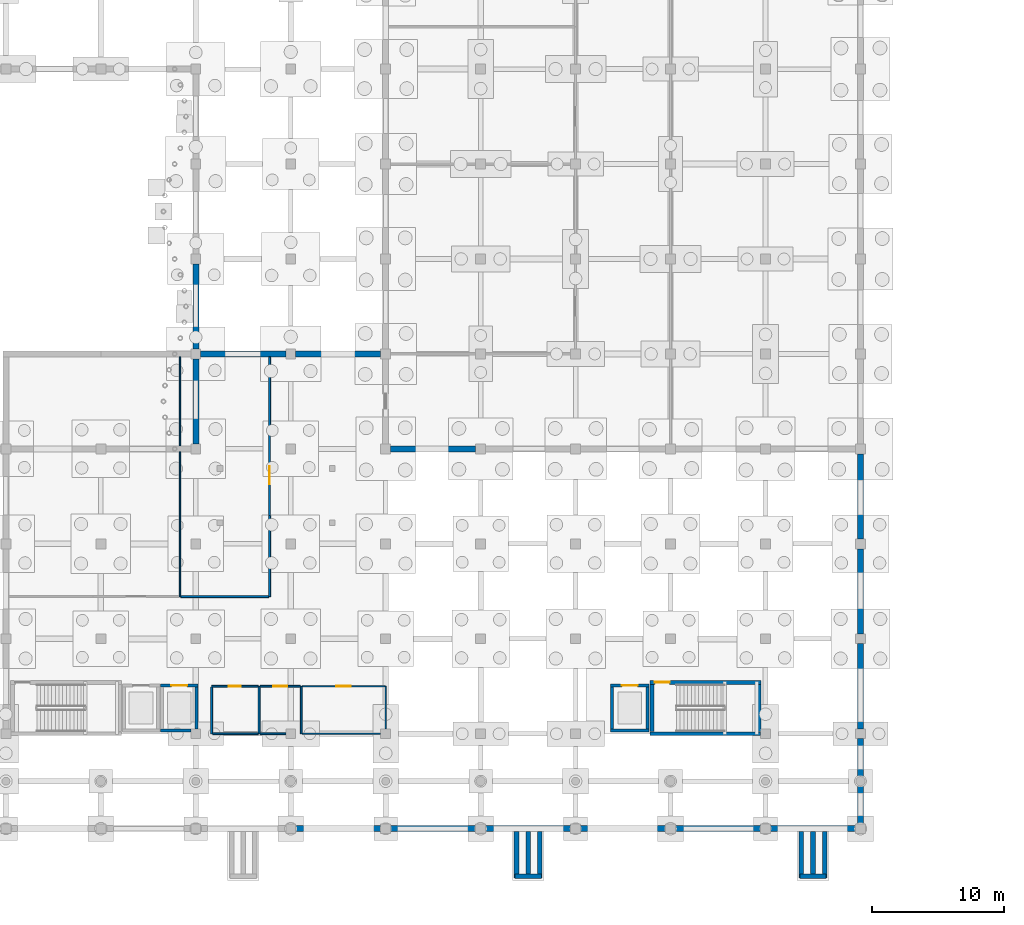
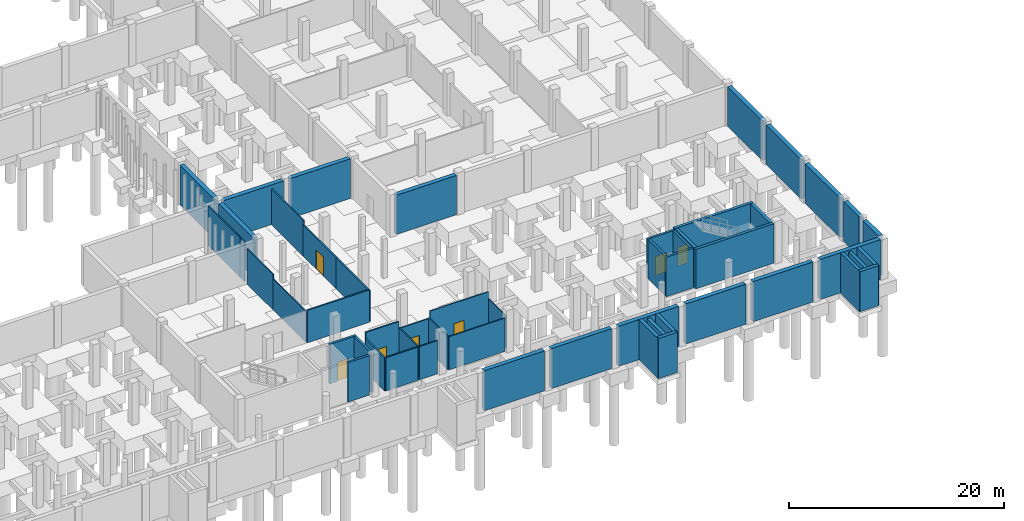
# One storey, part 25 of 35: 53 walls, 7 doors, 7 openings.
"""IFC4 building model written with IfcOpenShell, lengths in metres."""

from ifc_helpers import new_model, si_unit, direction, frame, frame_2d, origin, place, context, subcontext, project, spatial, rectangle, extrude, material, layer, layer_set, type_object, element, fill, save


model = new_model("IFC4")

# Units and contexts
model_context = context("Model", 3, precision=1e-05, world=origin(), true_north=direction((0.0, 1.0)))
body_context = subcontext(model_context, "Body", "Model", "MODEL_VIEW")
ifc_project = project(units=[si_unit("LENGTHUNIT", "METRE"), si_unit("AREAUNIT", "SQUARE_METRE"), si_unit("VOLUMEUNIT", "CUBIC_METRE"), si_unit("PLANEANGLEUNIT", "RADIAN"), si_unit("MASSUNIT", "GRAM", prefix="KILO"), si_unit("THERMODYNAMICTEMPERATUREUNIT", "KELVIN"), si_unit("POWERUNIT", "WATT")], contexts=[model_context])

# Site, building, storey
site_placement = place(None, origin())
site = spatial("IfcSite", under=ifc_project, at=site_placement, CompositionType="ELEMENT")
building_placement = place(site_placement, origin())
building = spatial("IfcBuilding", under=site, at=building_placement, Name="Kaldorven Railside Theatre", CompositionType="ELEMENT")
storey_placement = place(building_placement, frame((0.0, 0.0, -4.800048828125)))
storey = spatial("IfcBuildingStorey", under=building, at=storey_placement, Name="B1", CompositionType="ELEMENT", Elevation=-4.800048828125)

# Walls
ifc_material_1 = material(Name="Concrete C40/50", Category="concrete")
ifc_layer_1 = layer(ifc_material_1, 0.449951171875, Name="Concrete C40/50")
ifc_layer_set_1 = layer_set([ifc_layer_1], Name="Concrete C40/50")
wall_type_1 = type_object("IfcWallType", Name="WL-EW01", PredefinedType="SHEAR", material=ifc_layer_set_1)
wall_1_placement = place(storey_placement, frame((123.199951171875, 40.425048828125, 0.0), z_axis=(0.0, 0.0, 1.0), x_axis=(0.0, -1.0, 0.0)))
element("IfcWall", 1, at=wall_1_placement, inside=storey, type_object=wall_type_1, Name="Basement Plinth Retaining Wall EW-0070", PredefinedType="SHEAR", context=body_context, shape_type="SweptSolid", body=[
    extrude(rectangle(XDim=6.449951171875, YDim=0.449951171875, at=frame_2d((3.22509765625, 0.0))), origin(), (0.0, 0.0, 1.0), 4.47998046875),
])
wall_2_placement = place(storey_placement, frame((123.199951171875, 33.22509765625, 0.0), z_axis=(0.0, 0.0, 1.0), x_axis=(0.0, -1.0, 0.0)))
element("IfcWall", 2, at=wall_2_placement, inside=storey, type_object=wall_type_1, Name="Basement Plinth Retaining Wall EW-0071", PredefinedType="SHEAR", context=body_context, shape_type="SweptSolid", body=[
    extrude(rectangle(XDim=6.4501953125, YDim=0.449951171875, at=frame_2d((3.22509765625, 0.0))), origin(), (0.0, 0.0, 1.0), 4.47998046875),
])
wall_3_placement = place(storey_placement, frame((123.199951171875, 26.02490234375, 0.0), z_axis=(0.0, 0.0, 1.0), x_axis=(0.0, -1.0, 0.0)))
element("IfcWall", 3, at=wall_3_placement, inside=storey, type_object=wall_type_1, Name="Basement Plinth Retaining Wall EW-0072", PredefinedType="SHEAR", context=body_context, shape_type="SweptSolid", body=[
    extrude(rectangle(XDim=6.449951171875, YDim=0.449951171875, at=frame_2d((3.22509765625, 0.0))), origin(), (0.0, 0.0, 1.0), 4.47998046875),
])
for number, where, z_axis, x_axis, name in (
    (4, (123.199951171875, 18.824951171875, 0.0), (0.0, 0.0, 1.0), (0.0, -1.0, 0.0), "Basement Plinth Retaining Wall EW-0073"),
    (5, (123.199951171875, 15.25, 0.0), (0.0, 0.0, 1.0), (0.0, -1.0, 0.0), "Basement Plinth Retaining Wall EW-0074"),
):
    element("IfcWall", number, at=place(storey_placement, frame(where, z_axis=z_axis, x_axis=x_axis)), inside=storey, type_object=wall_type_1, Name=name, PredefinedType="SHEAR", context=body_context, shape_type="SweptSolid", body=[
        extrude(rectangle(XDim=2.875, YDim=0.449951171875, at=frame_2d((1.4375, 0.0))), origin(), (0.0, 0.0, 1.0), 4.550048828125),
    ])
for number, where, z_axis, x_axis, name in (
    (6, (122.824951171875, 12.0, 0.0), (0.0, 0.0, 1.0), (-1.0, 0.0, 0.0), "Basement Plinth Retaining Wall EW-0075"),
    (7, (115.625, 12.0, 0.0), (0.0, 0.0, 1.0), (-1.0, 0.0, 0.0), "Basement Plinth Retaining Wall EW-0076"),
    (8, (108.425048828125, 12.0, 0.0), (0.0, 0.0, 1.0), (-1.0, 0.0, 0.0), "Basement Plinth Retaining Wall EW-0077"),
):
    element("IfcWall", number, at=place(storey_placement, frame(where, z_axis=z_axis, x_axis=x_axis)), inside=storey, type_object=wall_type_1, Name=name, PredefinedType="SHEAR", context=body_context, shape_type="SweptSolid", body=[
        extrude(rectangle(XDim=6.449951171875, YDim=0.449951171875, at=frame_2d((3.22509765625, 0.0))), origin(), (0.0, 0.0, 1.0), 4.550048828125),
    ])
wall_4_placement = place(storey_placement, frame((101.22509765625, 12.0, 0.0), z_axis=(0.0, 0.0, 1.0), x_axis=(-1.0, 0.0, 0.0)))
element("IfcWall", 9, at=wall_4_placement, inside=storey, type_object=wall_type_1, Name="Basement Plinth Retaining Wall EW-0078", PredefinedType="SHEAR", context=body_context, shape_type="SweptSolid", body=[
    extrude(rectangle(XDim=6.4501953125, YDim=0.449951171875, at=frame_2d((3.22509765625, 0.0))), origin(), (0.0, 0.0, 1.0), 4.550048828125),
])
for number, where, z_axis, x_axis, name in (
    (10, (94.02490234375, 12.0, 0.0), (0.0, 0.0, 1.0), (-1.0, 0.0, 0.0), "Basement Plinth Retaining Wall EW-0079"),
    (11, (86.824951171875, 12.0, 0.0), (0.0, 0.0, 1.0), (-1.0, 0.0, 0.0), "Basement Plinth Retaining Wall EW-0080"),
):
    element("IfcWall", number, at=place(storey_placement, frame(where, z_axis=z_axis, x_axis=x_axis)), inside=storey, type_object=wall_type_1, Name=name, PredefinedType="SHEAR", context=body_context, shape_type="SweptSolid", body=[
        extrude(rectangle(XDim=6.449951171875, YDim=0.449951171875, at=frame_2d((3.22509765625, 0.0))), origin(), (0.0, 0.0, 1.0), 4.550048828125),
    ])
for number, where, z_axis, x_axis, name in (
    (12, (72.800048828125, 41.175048828125, 0.0), (0.0, 0.0, 1.0), (0.0, 1.0, 0.0), "Basement Plinth Retaining Wall EW-0102"),
    (13, (72.800048828125, 48.375, 0.0), (0.0, 0.0, 1.0), (0.0, 1.0, 0.0), "Basement Plinth Retaining Wall EW-0103"),
):
    element("IfcWall", number, at=place(storey_placement, frame(where, z_axis=z_axis, x_axis=x_axis)), inside=storey, type_object=wall_type_1, Name=name, PredefinedType="SHEAR", context=body_context, shape_type="SweptSolid", body=[
        extrude(rectangle(XDim=6.449951171875, YDim=0.449951171875, at=frame_2d((3.22509765625, 0.0))), origin(), (0.0, 0.0, 1.0), 4.5),
    ])
wall_5_placement = place(storey_placement, frame((94.02490234375, 40.800048828125, 0.0), z_axis=(0.0, 0.0, 1.0), x_axis=(-1.0, 0.0, 0.0)))
element("IfcWall", 14, at=wall_5_placement, inside=storey, type_object=wall_type_1, Name="Basement Compartment Retaining Wall EW-0115", PredefinedType="SHEAR", context=body_context, shape_type="SweptSolid", body=[
    extrude(rectangle(XDim=6.449951171875, YDim=0.449951171875, at=frame_2d((3.22509765625, 0.0))), origin(), (0.0, 0.0, 1.0), 4.449951171875),
])
for number, where, z_axis, x_axis, name in (
    (15, (73.175048828125, 48.0, 0.0), (0.0, 0.0, 1.0), (1.0, 0.0, 0.0), "Basement Compartment Retaining Wall EW-0130"),
    (16, (80.375, 48.0, 0.0), (0.0, 0.0, 1.0), (1.0, 0.0, 0.0), "Basement Compartment Retaining Wall EW-0131"),
):
    element("IfcWall", number, at=place(storey_placement, frame(where, z_axis=z_axis, x_axis=x_axis)), inside=storey, type_object=wall_type_1, Name=name, PredefinedType="SHEAR", context=body_context, shape_type="SweptSolid", body=[
        extrude(rectangle(XDim=6.449951171875, YDim=0.449951171875, at=frame_2d((3.22509765625, 0.0))), origin(), (0.0, 0.0, 1.0), 4.5),
    ])
ifc_material_2 = material(Name="Precast concrete C40/50", Category="concrete")
ifc_layer_2 = layer(ifc_material_2, 0.35009765625, Name="Precast concrete C40/50")
ifc_layer_set_2 = layer_set([ifc_layer_2], Name="Precast concrete C40/50")
wall_type_2 = type_object("IfcWallType", Name="WL-EW03", PredefinedType="SOLIDWALL", material=ifc_layer_set_2)
for number, where, z_axis, x_axis, name in (
    (17, (97.1201171875, 8.260009765625, 0.0), (0.0, 0.0, 1.0), (0.0, 1.0, 0.0), "Arrival Ramp RMP-04 Plinth Cheek Wall"),
    (18, (98.8798828125, 8.260009765625, 0.0), (0.0, 0.0, 1.0), (0.0, 1.0, 0.0), "Arrival Ramp RMP-04 Plinth Cheek Wall"),
):
    element("IfcWall", number, at=place(storey_placement, frame(where, z_axis=z_axis, x_axis=x_axis)), inside=storey, type_object=wall_type_2, Name=name, PredefinedType="SOLIDWALL", context=body_context, shape_type="SweptSolid", body=[
        extrude(rectangle(XDim=3.510009765625, YDim=0.35009765625, at=frame_2d((1.7548828125, 0.0))), origin(), (0.0, 0.0, 1.0), 4.550048828125),
    ])
wall_6_placement = place(storey_placement, frame((97.0, 8.385009765625, 0.0), z_axis=(0.0, 0.0, 1.0), x_axis=(1.0, 0.0, 0.0)))
element("IfcWall", 19, at=wall_6_placement, inside=storey, type_object=wall_type_2, Name="Arrival Ramp RMP-04 Plinth Cheek Wall", PredefinedType="SOLIDWALL", context=body_context, shape_type="SweptSolid", body=[
    extrude(rectangle(XDim=2.0, YDim=0.35009765625, at=frame_2d((1.0, 0.0))), origin(), (0.0, 0.0, 1.0), 4.550048828125),
])
wall_7_placement = place(storey_placement, frame((98.0, 8.580078125, 0.0), z_axis=(0.0, 0.0, 1.0), x_axis=(0.0, 1.0, 0.0)))
element("IfcWall", 20, at=wall_7_placement, inside=storey, type_object=wall_type_2, Name="Arrival Ramp RMP-04 Plinth Cheek Wall", PredefinedType="SOLIDWALL", context=body_context, shape_type="SweptSolid", body=[
    extrude(rectangle(XDim=3.18994140625, YDim=0.35009765625, at=frame_2d((1.594970703125, 0.0))), origin(), (0.0, 0.0, 1.0), 4.340087890625),
])
for number, where, z_axis, x_axis, name in (
    (21, (118.719970703125, 8.260009765625, 0.0), (0.0, 0.0, 1.0), (0.0, 1.0, 0.0), "Arrival Ramp RMP-05 Plinth Cheek Wall"),
    (22, (120.47998046875, 8.260009765625, 0.0), (0.0, 0.0, 1.0), (0.0, 1.0, 0.0), "Arrival Ramp RMP-05 Plinth Cheek Wall"),
):
    element("IfcWall", number, at=place(storey_placement, frame(where, z_axis=z_axis, x_axis=x_axis)), inside=storey, type_object=wall_type_2, Name=name, PredefinedType="SOLIDWALL", context=body_context, shape_type="SweptSolid", body=[
        extrude(rectangle(XDim=3.510009765625, YDim=0.35009765625, at=frame_2d((1.7548828125, 0.0))), origin(), (0.0, 0.0, 1.0), 4.550048828125),
    ])
wall_8_placement = place(storey_placement, frame((118.60009765625, 8.385009765625, 0.0), z_axis=(0.0, 0.0, 1.0), x_axis=(1.0, 0.0, 0.0)))
element("IfcWall", 23, at=wall_8_placement, inside=storey, type_object=wall_type_2, Name="Arrival Ramp RMP-05 Plinth Cheek Wall", PredefinedType="SOLIDWALL", context=body_context, shape_type="SweptSolid", body=[
    extrude(rectangle(XDim=2.0, YDim=0.35009765625, at=frame_2d((1.0, 0.0))), origin(), (0.0, 0.0, 1.0), 4.550048828125),
])
wall_9_placement = place(storey_placement, frame((119.60009765625, 8.580078125, 0.0), z_axis=(0.0, 0.0, 1.0), x_axis=(0.0, 1.0, 0.0)))
element("IfcWall", 24, at=wall_9_placement, inside=storey, type_object=wall_type_2, Name="Arrival Ramp RMP-05 Plinth Cheek Wall", PredefinedType="SOLIDWALL", context=body_context, shape_type="SweptSolid", body=[
    extrude(rectangle(XDim=3.18994140625, YDim=0.35009765625, at=frame_2d((1.594970703125, 0.0))), origin(), (0.0, 0.0, 1.0), 4.340087890625),
])
ifc_material_3 = material(Name="Acoustic gypsum board")
ifc_layer_3 = layer(ifc_material_3, 0.14990234375, Name="Acoustic gypsum board")
ifc_layer_set_3 = layer_set([ifc_layer_3], Name="Acoustic gypsum board")
wall_type_3 = type_object("IfcWallType", Name="WL-IW-AC1", PredefinedType="PARTITIONING", material=ifc_layer_set_3)
wall_10_placement = place(storey_placement, frame((78.39990234375, 29.60009765625, 0.0), z_axis=(0.0, 0.0, 1.0), x_axis=(0.0, 1.0, 0.0)))
element("IfcWall", 25, at=wall_10_placement, inside=storey, type_object=wall_type_3, Name="B1 Interior Wall IW-0431", PredefinedType="PARTITIONING", context=body_context, shape_type="SweptSolid", body=[
    extrude(rectangle(XDim=6.13330078125, YDim=0.14990234375, at=frame_2d((3.066650390625, 0.0))), origin(), (0.0, 0.0, 1.0), 3.525146484375),
])

# Wall, opening, door
wall_11_placement = place(storey_placement, frame((78.39990234375, 35.7333984375, 0.0), z_axis=(0.0, 0.0, 1.0), x_axis=(0.0, 1.0, 0.0)))
wall_11 = element("IfcWall", 26, at=wall_11_placement, inside=storey, type_object=wall_type_3, Name="B1 Interior Wall IW-0432", PredefinedType="PARTITIONING", context=body_context, shape_type="SweptSolid", body=[
    extrude(rectangle(XDim=6.13330078125, YDim=0.14990234375, at=frame_2d((3.066650390625, 0.0))), origin(), (0.0, 0.0, 1.0), 3.525146484375),
])
opening_1_placement = place(wall_11_placement, frame((2.36669921875, 0.0, 0.0)))
opening_1 = element("IfcOpeningElement", 27, at=opening_1_placement, cuts=wall_11, Name="Opening ID-0097", PredefinedType="OPENING", context=body_context, shape_type="SweptSolid", body=[
    extrude(rectangle(XDim=1.39990234375, YDim=2.199951171875, at=frame_2d((0.699951171875, 1.10009765625))), frame((0.0, 0.0849609375, 0.0), z_axis=(0.0, -1.0, 0.0), x_axis=(1.0, 0.0, 0.0)), (0.0, 0.0, 1.0), 0.169921875),
])
ifc_material_4 = material(Name="Powder-coated hollow-metal steel", Category="steel")
door_type_1 = type_object("IfcDoorType", Name="DR-ID-PLT1", OperationType="NOTDEFINED", PredefinedType="DOOR", material=ifc_material_4)
door_1_placement = place(opening_1_placement, origin())
door_1 = element("IfcDoor", 28, at=door_1_placement, inside=storey, type_object=door_type_1, Name="Acoustic AHU Plant Entry Door", OperationType="SINGLE_SWING_RIGHT", OverallHeight=2.199951171875, OverallWidth=1.39990234375, PredefinedType="DOOR", context=body_context, shape_type="SweptSolid", body=[
    extrude(rectangle(XDim=1.39990234375, YDim=2.199951171875, at=frame_2d((0.699951171875, 1.10009765625))), frame((0.0, 0.02490234375, 0.0), z_axis=(0.0, -1.0, 0.0), x_axis=(1.0, 0.0, 0.0)), (0.0, 0.0, 1.0), 0.050048828125),
])
fill(opening_1, door_1)

# Walls
wall_12_placement = place(storey_placement, frame((78.39990234375, 41.86669921875, 0.0), z_axis=(0.0, 0.0, 1.0), x_axis=(0.0, 1.0, 0.0)))
element("IfcWall", 29, at=wall_12_placement, inside=storey, type_object=wall_type_3, Name="B1 Interior Wall IW-0433", PredefinedType="PARTITIONING", context=body_context, shape_type="SweptSolid", body=[
    extrude(rectangle(XDim=5.90625, YDim=0.14990234375, at=frame_2d((2.953125, 0.0))), origin(), (0.0, 0.0, 1.0), 4.045166015625),
])
wall_13_placement = place(storey_placement, frame((71.652099609375, 29.60009765625, 0.0), z_axis=(0.0, 0.0, 1.0), x_axis=(1.0, 0.0, 0.0)))
element("IfcWall", 30, at=wall_13_placement, inside=storey, type_object=wall_type_3, Name="B1 Interior Wall IW-0434", PredefinedType="PARTITIONING", context=body_context, shape_type="SweptSolid", body=[
    extrude(rectangle(XDim=6.6708984375, YDim=0.14990234375, at=frame_2d((3.33544921875, 0.0))), origin(), (0.0, 0.0, 1.0), 3.675048828125),
])
ifc_layer_4 = layer(ifc_material_3, 0.139892578125, Name="Acoustic gypsum board")
ifc_layer_set_4 = layer_set([ifc_layer_4], Name="Acoustic gypsum board")
wall_type_4 = type_object("IfcWallType", Name="WL-IW-AC2", PredefinedType="PARTITIONING", material=ifc_layer_set_4)
wall_14_placement = place(storey_placement, frame((77.60009765625, 19.199951171875, 0.0), z_axis=(0.0, 0.0, 1.0), x_axis=(0.0, 1.0, 0.0)))
element("IfcWall", 31, at=wall_14_placement, inside=storey, type_object=wall_type_4, Name="B1 Interior Wall IW-0435", PredefinedType="PARTITIONING", context=body_context, shape_type="SweptSolid", body=[
    extrude(rectangle(XDim=3.60009765625, YDim=0.139892578125, at=frame_2d((1.800048828125, 0.0))), origin(), (0.0, 0.0, 1.0), 3.775146484375),
])

# Wall, opening, door
wall_15_placement = place(storey_placement, frame((77.528076171875, 22.800048828125, 0.0), z_axis=(0.0, 0.0, 1.0), x_axis=(-1.0, 0.0, 0.0)))
wall_15 = element("IfcWall", 32, at=wall_15_placement, inside=storey, type_object=wall_type_4, Name="B1 Interior Wall IW-0436", PredefinedType="PARTITIONING", context=body_context, shape_type="SweptSolid", body=[
    extrude(rectangle(XDim=3.528076171875, YDim=0.139892578125, at=frame_2d((1.76416015625, 0.0))), origin(), (0.0, 0.0, 1.0), 4.47998046875),
])
opening_2_placement = place(wall_15_placement, frame((1.303955078125, 0.0, 0.0)))
opening_2 = element("IfcOpeningElement", 33, at=opening_2_placement, cuts=wall_15, Name="Opening ID-0098", PredefinedType="OPENING", context=body_context, shape_type="SweptSolid", body=[
    extrude(rectangle(XDim=0.919921875, YDim=2.10009765625, at=frame_2d((0.4599609375, 1.050048828125))), frame((0.0, 0.080078125, 0.0), z_axis=(0.0, -1.0, 0.0), x_axis=(1.0, 0.0, 0.0)), (0.0, 0.0, 1.0), 0.159912109375),
])
ifc_material_5 = material(Name="Acoustic hardwood timber", Category="wood")
door_type_2 = type_object("IfcDoorType", Name="DR-ID-WC1", OperationType="NOTDEFINED", PredefinedType="DOOR", material=ifc_material_5)
door_2_placement = place(opening_2_placement, origin())
door_2 = element("IfcDoor", 34, at=door_2_placement, inside=storey, type_object=door_type_2, Name="Basement Staff WC Entry Door", OperationType="SINGLE_SWING_LEFT", OverallHeight=2.10009765625, OverallWidth=0.919921875, PredefinedType="DOOR", context=body_context, shape_type="SweptSolid", body=[
    extrude(rectangle(XDim=0.919921875, YDim=2.10009765625, at=frame_2d((0.4599609375, 1.050048828125))), frame((0.0, 0.02490234375, 0.0), z_axis=(0.0, -1.0, 0.0), x_axis=(1.0, 0.0, 0.0)), (0.0, 0.0, 1.0), 0.050048828125),
])
fill(opening_2, door_2)

# Walls
wall_16_placement = place(storey_placement, frame((74.0, 22.72802734375, 0.0), z_axis=(0.0, 0.0, 1.0), x_axis=(0.0, -1.0, 0.0)))
element("IfcWall", 35, at=wall_16_placement, inside=storey, type_object=wall_type_4, Name="B1 Interior Wall IW-0437", PredefinedType="PARTITIONING", context=body_context, shape_type="SweptSolid", body=[
    extrude(rectangle(XDim=3.528076171875, YDim=0.139892578125, at=frame_2d((1.76416015625, 0.0))), origin(), (0.0, 0.0, 1.0), 3.775146484375),
])
wall_17_placement = place(storey_placement, frame((74.072021484375, 19.199951171875, 0.0), z_axis=(0.0, 0.0, 1.0), x_axis=(1.0, 0.0, 0.0)))
element("IfcWall", 36, at=wall_17_placement, inside=storey, type_object=wall_type_4, Name="B1 Interior Wall IW-0438", PredefinedType="PARTITIONING", context=body_context, shape_type="SweptSolid", body=[
    extrude(rectangle(XDim=3.4560546875, YDim=0.139892578125, at=frame_2d((1.72802734375, 0.0))), origin(), (0.0, 0.0, 1.0), 3.775146484375),
])
ifc_layer_5 = layer(ifc_material_1, 0.300048828125, Name="Concrete C40/50")
ifc_layer_set_5 = layer_set([ifc_layer_5], Name="Concrete C40/50")
wall_type_5 = type_object("IfcWallType", Name="WL-IW-CORE", PredefinedType="SHEAR", material=ifc_layer_set_5)
wall_18_placement = place(storey_placement, frame((115.625, 19.199951171875, 0.0), z_axis=(0.0, 0.0, 1.0), x_axis=(-1.0, 0.0, 0.0)))
element("IfcWall", 37, at=wall_18_placement, inside=storey, type_object=wall_type_5, Name="B1 Core Wall CW-0089", PredefinedType="SHEAR", context=body_context, shape_type="SweptSolid", body=[
    extrude(rectangle(XDim=8.375, YDim=0.300048828125, at=frame_2d((4.1875, 0.0))), origin(), (0.0, 0.0, 1.0), 4.47998046875),
])
wall_19_placement = place(storey_placement, frame((107.39990234375, 19.35205078125, 0.0), z_axis=(0.0, 0.0, 1.0), x_axis=(0.0, 1.0, 0.0)))
element("IfcWall", 38, at=wall_19_placement, inside=storey, type_object=wall_type_5, Name="B1 Core Wall CW-0090", PredefinedType="SHEAR", context=body_context, shape_type="SweptSolid", body=[
    extrude(rectangle(XDim=3.597900390625, YDim=0.300048828125, at=frame_2d((1.798828125, 0.0))), origin(), (0.0, 0.0, 1.0), 4.47998046875),
])

# Wall, opening, door
wall_20_placement = place(storey_placement, frame((107.25, 23.10009765625, 0.0), z_axis=(0.0, 0.0, 1.0), x_axis=(1.0, 0.0, 0.0)))
wall_20 = element("IfcWall", 39, at=wall_20_placement, inside=storey, type_object=wall_type_5, Name="B1 Core Wall CW-0091", PredefinedType="SHEAR", context=body_context, shape_type="SweptSolid", body=[
    extrude(rectangle(XDim=8.39990234375, YDim=0.300048828125, at=frame_2d((4.199951171875, 0.0))), origin(), (0.0, 0.0, 1.0), 4.47998046875),
])
opening_3_placement = place(wall_20_placement, frame((0.3701171875, 0.0, 0.0)))
opening_3 = element("IfcOpeningElement", 40, at=opening_3_placement, cuts=wall_20, Name="Opening ID-0013", PredefinedType="OPENING", context=body_context, shape_type="SweptSolid", body=[
    extrude(rectangle(XDim=1.10009765625, YDim=2.14990234375, at=frame_2d((0.550048828125, 1.074951171875))), frame((0.0, 0.16015625, 0.0), z_axis=(0.0, -1.0, 0.0), x_axis=(1.0, 0.0, 0.0)), (0.0, 0.0, 1.0), 0.320068359375),
])
door_type_3 = type_object("IfcDoorType", Name="DR-ID-FD60", OperationType="NOTDEFINED", PredefinedType="DOOR", material=ifc_material_5)
door_3_placement = place(opening_3_placement, origin())
door_3 = element("IfcDoor", 41, at=door_3_placement, inside=storey, type_object=door_type_3, Name="Stair ST-04 Fire Door", OperationType="SINGLE_SWING_LEFT", OverallHeight=2.14990234375, OverallWidth=1.10009765625, PredefinedType="DOOR", context=body_context, shape_type="SweptSolid", body=[
    extrude(rectangle(XDim=1.10009765625, YDim=2.14990234375, at=frame_2d((0.550048828125, 1.074951171875))), frame((0.0, 0.02490234375, 0.0), z_axis=(0.0, -1.0, 0.0), x_axis=(1.0, 0.0, 0.0)), (0.0, 0.0, 1.0), 0.050048828125),
])
fill(opening_3, door_3)

# Walls
wall_21_placement = place(storey_placement, frame((115.5, 22.947998046875, 0.0), z_axis=(0.0, 0.0, 1.0), x_axis=(0.0, -1.0, 0.0)))
element("IfcWall", 42, at=wall_21_placement, inside=storey, type_object=wall_type_5, Name="B1 Core Wall CW-0092", PredefinedType="SHEAR", context=body_context, shape_type="SweptSolid", body=[
    extrude(rectangle(XDim=3.595947265625, YDim=0.300048828125, at=frame_2d((1.7978515625, 0.0))), origin(), (0.0, 0.0, 1.0), 4.47998046875),
])
ifc_material_6 = material(Name="Fire-rated acoustic gypsum board")
ifc_layer_6 = layer(ifc_material_6, 0.1201171875, Name="Fire-rated acoustic gypsum board")
ifc_layer_set_6 = layer_set([ifc_layer_6], Name="Fire-rated acoustic gypsum board")
wall_type_6 = type_object("IfcWallType", Name="WL-IW-PT1", PredefinedType="PARTITIONING", material=ifc_layer_set_6)
wall_22_placement = place(storey_placement, frame((80.800048828125, 19.199951171875, 0.0), z_axis=(0.0, 0.0, 1.0), x_axis=(0.0, 1.0, 0.0)))
element("IfcWall", 43, at=wall_22_placement, inside=storey, type_object=wall_type_6, Name="B1 Interior Wall IW-0439", PredefinedType="PARTITIONING", context=body_context, shape_type="SweptSolid", body=[
    extrude(rectangle(XDim=3.60009765625, YDim=0.1201171875, at=frame_2d((1.800048828125, 0.0))), origin(), (0.0, 0.0, 1.0), 3.775146484375),
])

# Wall, opening, door
wall_23_placement = place(storey_placement, frame((80.738037109375, 22.800048828125, 0.0), z_axis=(0.0, 0.0, 1.0), x_axis=(-1.0, 0.0, 0.0)))
wall_23 = element("IfcWall", 44, at=wall_23_placement, inside=storey, type_object=wall_type_6, Name="B1 Interior Wall IW-0440", PredefinedType="PARTITIONING", context=body_context, shape_type="SweptSolid", body=[
    extrude(rectangle(XDim=3.06591796875, YDim=0.1201171875, at=frame_2d((1.532958984375, 0.0))), origin(), (0.0, 0.0, 1.0), 3.675048828125),
])
opening_4_placement = place(wall_23_placement, frame((1.008056640625, 0.0, 0.0)))
opening_4 = element("IfcOpeningElement", 45, at=opening_4_placement, cuts=wall_23, Name="Opening ID-0099", PredefinedType="OPENING", context=body_context, shape_type="SweptSolid", body=[
    extrude(rectangle(XDim=1.050048828125, YDim=2.1201171875, at=frame_2d((0.52490234375, 1.06005859375))), frame((0.0, 0.070068359375, 0.0), z_axis=(0.0, -1.0, 0.0), x_axis=(1.0, 0.0, 0.0)), (0.0, 0.0, 1.0), 0.14013671875),
])
door_type_4 = type_object("IfcDoorType", Name="DR-ID-AWC1", OperationType="NOTDEFINED", PredefinedType="DOOR", material=ifc_material_5)
door_4_placement = place(opening_4_placement, origin())
door_4 = element("IfcDoor", 46, at=door_4_placement, inside=storey, type_object=door_type_4, Name="Basement Accessible WC Entry Door", OperationType="SINGLE_SWING_RIGHT", OverallHeight=2.1201171875, OverallWidth=1.050048828125, PredefinedType="DOOR", context=body_context, shape_type="SweptSolid", body=[
    extrude(rectangle(XDim=1.050048828125, YDim=2.1201171875, at=frame_2d((0.52490234375, 1.06005859375))), frame((0.0, 0.02490234375, 0.0), z_axis=(0.0, -1.0, 0.0), x_axis=(1.0, 0.0, 0.0)), (0.0, 0.0, 1.0), 0.050048828125),
])
fill(opening_4, door_4)

# Walls
wall_24_placement = place(storey_placement, frame((77.672119140625, 19.199951171875, 0.0), z_axis=(0.0, 0.0, 1.0), x_axis=(1.0, 0.0, 0.0)))
element("IfcWall", 47, at=wall_24_placement, inside=storey, type_object=wall_type_6, Name="B1 Interior Wall IW-0441", PredefinedType="PARTITIONING", context=body_context, shape_type="SweptSolid", body=[
    extrude(rectangle(XDim=1.952880859375, YDim=0.1201171875, at=frame_2d((0.9765625, 0.0))), origin(), (0.0, 0.0, 1.0), 3.775146484375),
])
ifc_layer_7 = layer(ifc_material_6, 0.10009765625, Name="Fire-rated acoustic gypsum board")
ifc_layer_set_7 = layer_set([ifc_layer_7], Name="Fire-rated acoustic gypsum board")
wall_type_7 = type_object("IfcWallType", Name="WL-IW-PT2", PredefinedType="PARTITIONING", material=ifc_layer_set_7)
wall_25_placement = place(storey_placement, frame((71.60009765625, 29.60009765625, 0.0), z_axis=(0.0, 0.0, 1.0), x_axis=(0.0, 1.0, 0.0)))
element("IfcWall", 48, at=wall_25_placement, inside=storey, type_object=wall_type_7, Name="B1 Interior Wall IW-0425", PredefinedType="PARTITIONING", context=body_context, shape_type="SweptSolid", body=[
    extrude(rectangle(XDim=6.13330078125, YDim=0.10009765625, at=frame_2d((3.066650390625, 0.0))), origin(), (0.0, 0.0, 1.0), 3.525146484375),
])
wall_26_placement = place(storey_placement, frame((71.60009765625, 35.7333984375, 0.0), z_axis=(0.0, 0.0, 1.0), x_axis=(0.0, 1.0, 0.0)))
element("IfcWall", 49, at=wall_26_placement, inside=storey, type_object=wall_type_7, Name="B1 Interior Wall IW-0426", PredefinedType="PARTITIONING", context=body_context, shape_type="SweptSolid", body=[
    extrude(rectangle(XDim=4.839599609375, YDim=0.10009765625, at=frame_2d((2.419921875, 0.0))), origin(), (0.0, 0.0, 1.0), 4.025146484375),
])
wall_27_placement = place(storey_placement, frame((71.60009765625, 41.027099609375, 0.0), z_axis=(0.0, 0.0, 1.0), x_axis=(0.0, 1.0, 0.0)))
element("IfcWall", 50, at=wall_27_placement, inside=storey, type_object=wall_type_7, Name="B1 Interior Wall IW-0427", PredefinedType="PARTITIONING", context=body_context, shape_type="SweptSolid", body=[
    extrude(rectangle(XDim=0.839599609375, YDim=0.10009765625, at=frame_2d((0.419921875, 0.0))), origin(), (0.0, 0.0, 1.0), 4.47998046875),
])
wall_28_placement = place(storey_placement, frame((71.60009765625, 41.86669921875, 0.0), z_axis=(0.0, 0.0, 1.0), x_axis=(0.0, 1.0, 0.0)))
element("IfcWall", 51, at=wall_28_placement, inside=storey, type_object=wall_type_7, Name="B1 Interior Wall IW-0428", PredefinedType="PARTITIONING", context=body_context, shape_type="SweptSolid", body=[
    extrude(rectangle(XDim=5.90625, YDim=0.10009765625, at=frame_2d((2.953125, 0.0))), origin(), (0.0, 0.0, 1.0), 4.5),
])
wall_29_placement = place(storey_placement, frame((87.199951171875, 19.574951171875, 0.0), z_axis=(0.0, 0.0, 1.0), x_axis=(0.0, 1.0, 0.0)))
element("IfcWall", 52, at=wall_29_placement, inside=storey, type_object=wall_type_7, Name="B1 Interior Wall IW-0442", PredefinedType="PARTITIONING", context=body_context, shape_type="SweptSolid", body=[
    extrude(rectangle(XDim=3.22509765625, YDim=0.10009765625, at=frame_2d((1.612548828125, 0.0))), origin(), (0.0, 0.0, 1.0), 3.675048828125),
])

# Wall, opening, door
wall_30_placement = place(storey_placement, frame((87.14794921875, 22.800048828125, 0.0), z_axis=(0.0, 0.0, 1.0), x_axis=(-1.0, 0.0, 0.0)))
wall_30 = element("IfcWall", 53, at=wall_30_placement, inside=storey, type_object=wall_type_7, Name="B1 Interior Wall IW-0443", PredefinedType="PARTITIONING", context=body_context, shape_type="SweptSolid", body=[
    extrude(rectangle(XDim=6.285888671875, YDim=0.10009765625, at=frame_2d((3.14306640625, 0.0))), origin(), (0.0, 0.0, 1.0), 4.47998046875),
])
opening_5_placement = place(wall_30_placement, frame((2.593017578125, 0.0, 0.0)))
opening_5 = element("IfcOpeningElement", 54, at=opening_5_placement, cuts=wall_30, Name="Opening ID-0100", PredefinedType="OPENING", context=body_context, shape_type="SweptSolid", body=[
    extrude(rectangle(XDim=1.10009765625, YDim=2.14990234375, at=frame_2d((0.550048828125, 1.074951171875))), frame((0.0, 0.06005859375, 0.0), z_axis=(0.0, -1.0, 0.0), x_axis=(1.0, 0.0, 0.0)), (0.0, 0.0, 1.0), 0.1201171875),
])
door_5_placement = place(opening_5_placement, origin())
door_5 = element("IfcDoor", 55, at=door_5_placement, inside=storey, type_object=door_type_3, Name="Basement Cleaner's and Linen Store Entry Door", OperationType="SINGLE_SWING_LEFT", OverallHeight=2.14990234375, OverallWidth=1.10009765625, PredefinedType="DOOR", context=body_context, shape_type="SweptSolid", body=[
    extrude(rectangle(XDim=1.10009765625, YDim=2.14990234375, at=frame_2d((0.550048828125, 1.074951171875))), frame((0.0, 0.02490234375, 0.0), z_axis=(0.0, -1.0, 0.0), x_axis=(1.0, 0.0, 0.0)), (0.0, 0.0, 1.0), 0.050048828125),
])
fill(opening_5, door_5)

# Walls
wall_31_placement = place(storey_placement, frame((80.862060546875, 19.199951171875, 0.0), z_axis=(0.0, 0.0, 1.0), x_axis=(1.0, 0.0, 0.0)))
element("IfcWall", 56, at=wall_31_placement, inside=storey, type_object=wall_type_7, Name="B1 Interior Wall IW-0444", PredefinedType="PARTITIONING", context=body_context, shape_type="SweptSolid", body=[
    extrude(rectangle(XDim=5.962890625, YDim=0.10009765625, at=frame_2d((2.9814453125, 0.0))), origin(), (0.0, 0.0, 1.0), 3.775146484375),
])
ifc_layer_8 = layer(ifc_material_1, 0.239990234375, Name="Concrete C40/50")
ifc_layer_set_8 = layer_set([ifc_layer_8], Name="Concrete C40/50")
wall_type_8 = type_object("IfcWallType", Name="WL-IW-SHAFT", PredefinedType="SHEAR", material=ifc_layer_set_8)
wall_32_placement = place(storey_placement, frame((72.425048828125, 19.449951171875, 0.0), z_axis=(0.0, 0.0, 1.0), x_axis=(-1.0, 0.0, 0.0)))
element("IfcWall", 57, at=wall_32_placement, inside=storey, type_object=wall_type_8, Name="B1 Interior Wall SW-0069", PredefinedType="SHEAR", context=body_context, shape_type="SweptSolid", body=[
    extrude(rectangle(XDim=2.295166015625, YDim=0.239990234375, at=frame_2d((1.1474609375, 0.0))), origin(), (0.0, 0.0, 1.0), 4.47998046875),
])

# Wall, opening, door
wall_33_placement = place(storey_placement, frame((70.1298828125, 22.85009765625, 0.0), z_axis=(0.0, 0.0, 1.0), x_axis=(1.0, 0.0, 0.0)))
wall_33 = element("IfcWall", 58, at=wall_33_placement, inside=storey, type_object=wall_type_8, Name="B1 Interior Wall SW-0071", PredefinedType="SHEAR", context=body_context, shape_type="SweptSolid", body=[
    extrude(rectangle(XDim=2.840087890625, YDim=0.239990234375, at=frame_2d((1.419921875, 0.0))), origin(), (0.0, 0.0, 1.0), 4.47998046875),
])
opening_6_placement = place(wall_33_placement, frame((0.820068359375, 0.0, 0.0)))
opening_6 = element("IfcOpeningElement", 59, at=opening_6_placement, cuts=wall_33, Name="Opening LD-006", PredefinedType="OPENING", context=body_context, shape_type="SweptSolid", body=[
    extrude(rectangle(XDim=1.199951171875, YDim=2.14990234375, at=frame_2d((0.60009765625, 1.074951171875))), frame((0.0, 0.1298828125, 0.0), z_axis=(0.0, -1.0, 0.0), x_axis=(1.0, 0.0, 0.0)), (0.0, 0.0, 1.0), 0.260009765625),
])
door_type_5 = type_object("IfcDoorType", Name="DR-LD-PASS", OperationType="NOTDEFINED", PredefinedType="DOOR", material=ifc_material_4)
door_6_placement = place(opening_6_placement, origin())
door_6 = element("IfcDoor", 60, at=door_6_placement, inside=storey, type_object=door_type_5, Name="Lift LF-P2 Sliding Landing Door", OperationType="DOUBLE_DOOR_SLIDING", OverallHeight=2.14990234375, OverallWidth=1.199951171875, PredefinedType="DOOR", context=body_context, shape_type="SweptSolid", body=[
    extrude(rectangle(XDim=1.199951171875, YDim=2.14990234375, at=frame_2d((0.60009765625, 1.074951171875))), frame((0.0, 0.02490234375, 0.0), z_axis=(0.0, -1.0, 0.0), x_axis=(1.0, 0.0, 0.0)), (0.0, 0.0, 1.0), 0.050048828125),
])
fill(opening_6, door_6)

# Walls
wall_34_placement = place(storey_placement, frame((72.85009765625, 22.72802734375, 0.0), z_axis=(0.0, 0.0, 1.0), x_axis=(0.0, -1.0, 0.0)))
element("IfcWall", 61, at=wall_34_placement, inside=storey, type_object=wall_type_8, Name="B1 Interior Wall SW-0072", PredefinedType="SHEAR", context=body_context, shape_type="SweptSolid", body=[
    extrude(rectangle(XDim=3.153076171875, YDim=0.239990234375, at=frame_2d((1.57666015625, 0.0))), origin(), (0.0, 0.0, 1.0), 4.47998046875),
])
wall_35_placement = place(storey_placement, frame((107.169921875, 19.449951171875, 0.0), z_axis=(0.0, 0.0, 1.0), x_axis=(-1.0, 0.0, 0.0)))
element("IfcWall", 62, at=wall_35_placement, inside=storey, type_object=wall_type_8, Name="B1 Interior Wall SW-0109", PredefinedType="SHEAR", context=body_context, shape_type="SweptSolid", body=[
    extrude(rectangle(XDim=2.93994140625, YDim=0.239990234375, at=frame_2d((1.469970703125, 0.0))), origin(), (0.0, 0.0, 1.0), 4.47998046875),
])
wall_36_placement = place(storey_placement, frame((104.35009765625, 19.572021484375, 0.0), z_axis=(0.0, 0.0, 1.0), x_axis=(0.0, 1.0, 0.0)))
element("IfcWall", 63, at=wall_36_placement, inside=storey, type_object=wall_type_8, Name="B1 Interior Wall SW-0110", PredefinedType="SHEAR", context=body_context, shape_type="SweptSolid", body=[
    extrude(rectangle(XDim=3.157958984375, YDim=0.239990234375, at=frame_2d((1.5791015625, 0.0))), origin(), (0.0, 0.0, 1.0), 4.47998046875),
])

# Wall, opening, door
wall_37_placement = place(storey_placement, frame((104.22998046875, 22.85009765625, 0.0), z_axis=(0.0, 0.0, 1.0), x_axis=(1.0, 0.0, 0.0)))
wall_37 = element("IfcWall", 64, at=wall_37_placement, inside=storey, type_object=wall_type_8, Name="B1 Interior Wall SW-0111", PredefinedType="SHEAR", context=body_context, shape_type="SweptSolid", body=[
    extrude(rectangle(XDim=2.93994140625, YDim=0.239990234375, at=frame_2d((1.469970703125, 0.0))), origin(), (0.0, 0.0, 1.0), 4.47998046875),
])
opening_7_placement = place(wall_37_placement, frame((0.8701171875, 0.0, 0.0)))
opening_7 = element("IfcOpeningElement", 65, at=opening_7_placement, cuts=wall_37, Name="Opening LD-011", PredefinedType="OPENING", context=body_context, shape_type="SweptSolid", body=[
    extrude(rectangle(XDim=1.199951171875, YDim=2.14990234375, at=frame_2d((0.60009765625, 1.074951171875))), frame((0.0, 0.1298828125, 0.0), z_axis=(0.0, -1.0, 0.0), x_axis=(1.0, 0.0, 0.0)), (0.0, 0.0, 1.0), 0.260009765625),
])
door_7_placement = place(opening_7_placement, origin())
door_7 = element("IfcDoor", 66, at=door_7_placement, inside=storey, type_object=door_type_5, Name="Lift LF-P3 Sliding Landing Door", OperationType="DOUBLE_DOOR_SLIDING", OverallHeight=2.14990234375, OverallWidth=1.199951171875, PredefinedType="DOOR", context=body_context, shape_type="SweptSolid", body=[
    extrude(rectangle(XDim=1.199951171875, YDim=2.14990234375, at=frame_2d((0.60009765625, 1.074951171875))), frame((0.0, 0.02490234375, 0.0), z_axis=(0.0, -1.0, 0.0), x_axis=(1.0, 0.0, 0.0)), (0.0, 0.0, 1.0), 0.050048828125),
])
fill(opening_7, door_7)

# Wall
wall_38_placement = place(storey_placement, frame((107.050048828125, 22.72802734375, 0.0), z_axis=(0.0, 0.0, 1.0), x_axis=(0.0, -1.0, 0.0)))
element("IfcWall", 67, at=wall_38_placement, inside=storey, type_object=wall_type_8, Name="B1 Interior Wall SW-0112", PredefinedType="SHEAR", context=body_context, shape_type="SweptSolid", body=[
    extrude(rectangle(XDim=3.156005859375, YDim=0.239990234375, at=frame_2d((1.578125, 0.0))), origin(), (0.0, 0.0, 1.0), 4.47998046875),
])

save(model, "model.ifc")
